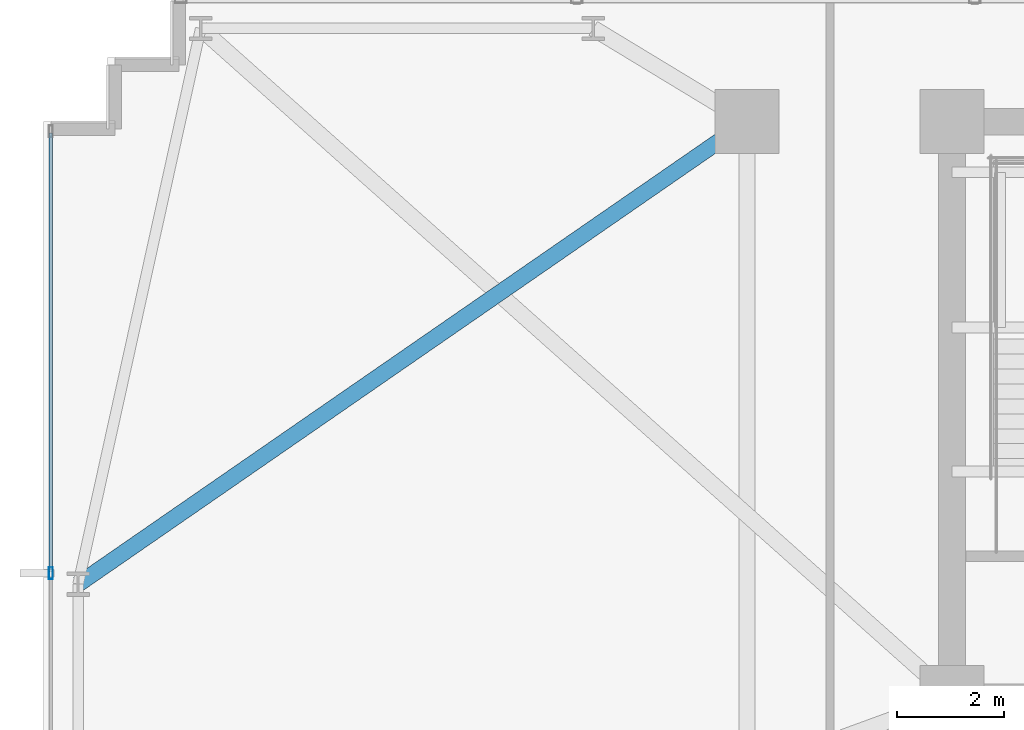
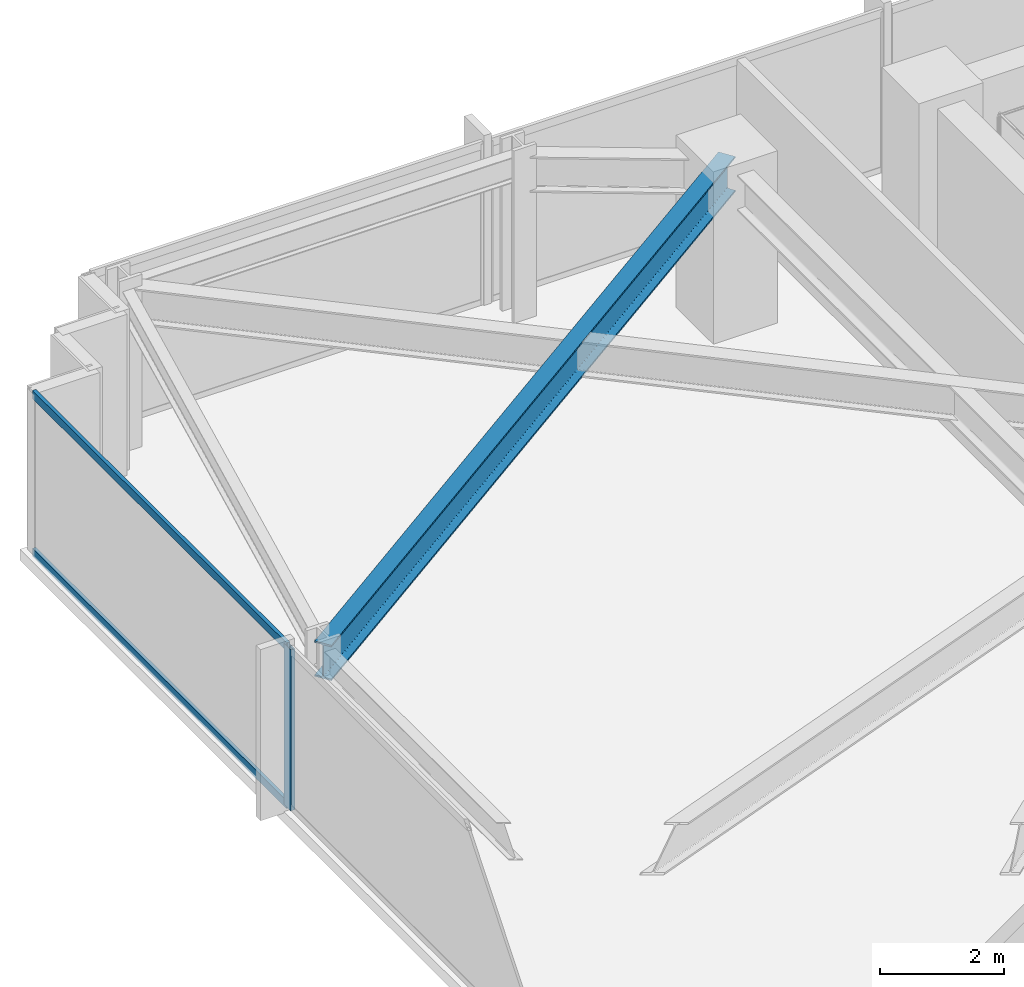
# One storey, part 9 of 33: 3 members, 1 beam, 1 element without a shape of its own.
"""IFC4 building model written with IfcOpenShell, lengths in metres."""

from ifc_helpers import new_model, si_unit, direction, frame, origin, origin_2d, place, context, subcontext, project, spatial, hollow_rectangle, i_section, extrude, material, material_profile, profile_set, type_object, element, aggregate, save


model = new_model("IFC4")

# Units and contexts
model_context = context("Model", 3, precision=1e-05, world=origin(), true_north=direction((0.0, 1.0)))
body_context = subcontext(model_context, "Body", "Model", "MODEL_VIEW")
ifc_project = project(units=[si_unit("LENGTHUNIT", "METRE"), si_unit("AREAUNIT", "SQUARE_METRE"), si_unit("VOLUMEUNIT", "CUBIC_METRE"), si_unit("PLANEANGLEUNIT", "RADIAN"), si_unit("MASSUNIT", "GRAM", prefix="KILO")], contexts=[model_context])

# Site, building, storey
site_placement = place(None, origin())
site = spatial("IfcSite", under=ifc_project, at=site_placement, CompositionType="ELEMENT")
building_placement = place(site_placement, origin())
building = spatial("IfcBuilding", under=site, at=building_placement, Name="Yelkora Congress Tower", CompositionType="ELEMENT")
storey_placement = place(building_placement, frame((0.0, 0.0, 54.199951171875)))
storey = spatial("IfcBuildingStorey", under=building, at=storey_placement, Name="L13", CompositionType="ELEMENT", Elevation=54.199951171875)

# Beam
ifc_material_1 = material(Name="Steel S355J2", Category="steel")
ifc_material_profile_1 = material_profile(ifc_material_1, i_section(OverallWidth=0.300048828125, OverallDepth=0.699951171875, WebThickness=0.01708984375, FlangeThickness=0.031982421875, FilletRadius=0.027099609375, at=origin_2d()), Name="HEB 700")
ifc_profile_set_1 = profile_set([ifc_material_profile_1], Name="Steel S355J2")
beam_type = type_object("IfcBeamType", Name="BM-GIRD-HEB700", PredefinedType="BEAM", material=ifc_profile_set_1)
beam_placement = place(storey_placement, frame((6.64990234375, 37.52490234375, 2.830078125), z_axis=(0.822604454175, 0.568614027238, 0.0), x_axis=(-0.568614027238, 0.822604454175, 0.0)))
element("IfcBeam", 1, at=beam_placement, inside=storey, type_object=beam_type, Name="L13 Primary Frame Girder W03", PredefinedType="BEAM", context=body_context, shape_type="SweptSolid", body=[
    extrude(i_section(OverallWidth=0.300048828125, OverallDepth=0.699951171875, WebThickness=0.01708984375, FlangeThickness=0.031982421875, FilletRadius=0.027099609375, at=origin_2d()), origin(), (0.0, 0.0, 1.0), 15.256591796875),
])

# Curtain wall, members
ifc_material_2 = material(Name="Anodised aluminium and insulated glass", Category="aluminium")
curtain_wall_type = type_object("IfcCurtainWallType", Name="CW-SYS-B1", PredefinedType="NOTDEFINED", material=ifc_material_2)
curtain_wall_placement = place(storey_placement, origin())
curtain_wall = element("IfcCurtainWall", 2, at=curtain_wall_placement, inside=storey, type_object=curtain_wall_type, Name="L13 Unitised Curtain Wall 5", PredefinedType="NOTDEFINED")
ifc_material_3 = material(Name="Anodised aluminium 6063-T6", Category="aluminium")
ifc_material_profile_2 = material_profile(ifc_material_3, hollow_rectangle(XDim=0.074951171875, YDim=0.219970703125, WallThickness=0.0048828125, at=origin_2d()), Name="ALU 75x220x5")
ifc_profile_set_2 = profile_set([ifc_material_profile_2], Name="Anodised aluminium 6063-T6")
member_type_1 = type_object("IfcMemberType", Name="MEM-ML-B1", PredefinedType="MULLION", material=ifc_profile_set_2)
member_1_placement = place(storey_placement, frame((6.139892578125, 37.72998046875, 0.0), z_axis=(0.0, 0.0, 1.0), x_axis=(-1.0, 0.0, 0.0)))
member_1 = element("IfcMember", 3, at=member_1_placement, type_object=member_type_1, Name="CW-B1 mullion 4", PredefinedType="MULLION", context=body_context, shape_type="SweptSolid", body=[
    extrude(hollow_rectangle(XDim=0.074951171875, YDim=0.219970703125, WallThickness=0.0048828125, at=origin_2d()), origin(), (0.0, 0.0, 1.0), 3.179931640625),
])
ifc_material_profile_3 = material_profile(ifc_material_3, hollow_rectangle(XDim=0.06494140625, YDim=0.159912109375, WallThickness=0.00390625, at=origin_2d()), Name="ALU 65x160x4")
ifc_profile_set_3 = profile_set([ifc_material_profile_3], Name="Anodised aluminium 6063-T6")
member_type_2 = type_object("IfcMemberType", Name="MEM-TR-B1", PredefinedType="USERDEFINED", material=ifc_profile_set_3)
member_2_placement = place(storey_placement, frame((6.139892578125, 37.767578125, 0.032470703125), z_axis=(0.0, 1.0, 0.0), x_axis=(-1.0, 0.0, 0.0)))
member_2 = element("IfcMember", 4, at=member_2_placement, type_object=member_type_2, Name="CW-B1 transom 4.1", ObjectType="TRANSOM", PredefinedType="USERDEFINED", context=body_context, shape_type="SweptSolid", body=[
    extrude(hollow_rectangle(XDim=0.06494140625, YDim=0.159912109375, WallThickness=0.00390625, at=origin_2d()), origin(), (0.0, 0.0, 1.0), 8.217529296875),
])
member_3_placement = place(storey_placement, frame((6.139892578125, 37.767578125, 3.1474609375), z_axis=(0.0, 1.0, 0.0), x_axis=(-1.0, 0.0, 0.0)))
member_3 = element("IfcMember", 5, at=member_3_placement, type_object=member_type_2, Name="CW-B1 transom 4.2", ObjectType="TRANSOM", PredefinedType="USERDEFINED", context=body_context, shape_type="SweptSolid", body=[
    extrude(hollow_rectangle(XDim=0.06494140625, YDim=0.159912109375, WallThickness=0.00390625, at=origin_2d()), origin(), (0.0, 0.0, 1.0), 8.217529296875),
])
aggregate(curtain_wall, [member_1, member_2, member_3])

save(model, "model.ifc")
